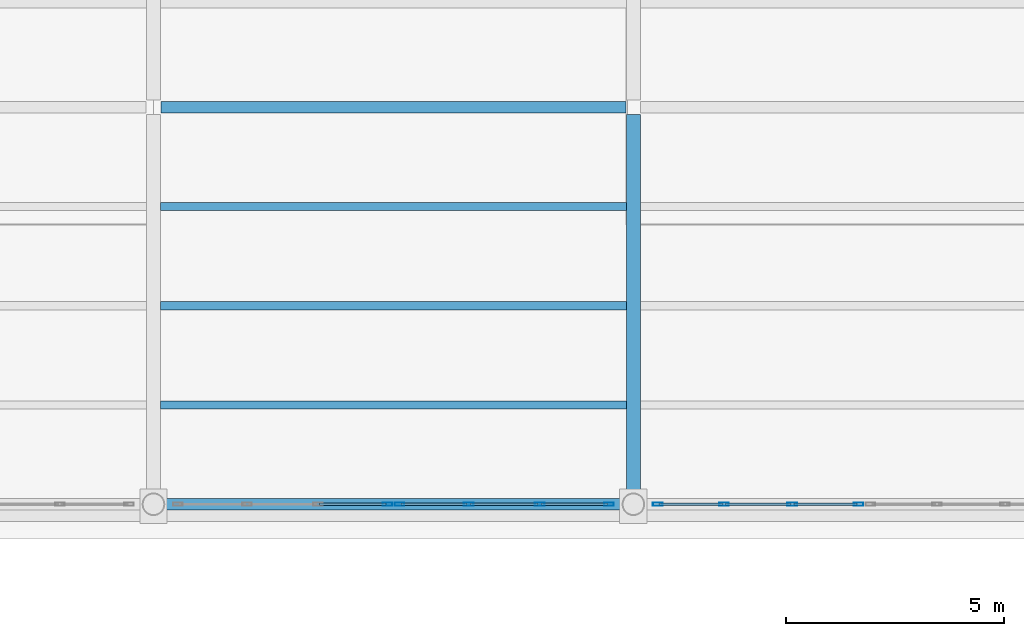
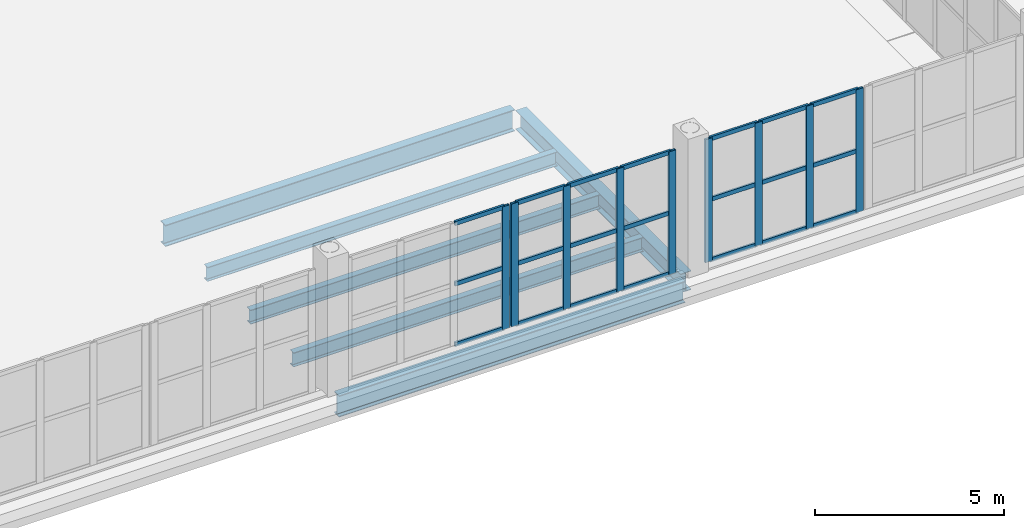
# One storey, part 41 of 156: 30 members, 6 beams, 3 elements without a shape of their own.
"""IFC4 building model written with IfcOpenShell, lengths in metres."""

from ifc_helpers import new_model, si_unit, direction, frame, origin, origin_2d, place, context, subcontext, project, spatial, hollow_rectangle, i_section, extrude, material, material_profile, profile_set, type_object, element, aggregate, save


model = new_model("IFC4")

# Units and contexts
model_context = context("Model", 3, precision=1e-05, world=origin(), true_north=direction((0.0, 1.0)))
body_context = subcontext(model_context, "Body", "Model", "MODEL_VIEW")
ifc_project = project(units=[si_unit("LENGTHUNIT", "METRE"), si_unit("AREAUNIT", "SQUARE_METRE"), si_unit("VOLUMEUNIT", "CUBIC_METRE"), si_unit("PLANEANGLEUNIT", "RADIAN"), si_unit("MASSUNIT", "GRAM", prefix="KILO")], contexts=[model_context])

# Site, building, storey
site_placement = place(None, origin())
site = spatial("IfcSite", under=ifc_project, at=site_placement, CompositionType="ELEMENT")
building_placement = place(site_placement, origin())
building = spatial("IfcBuilding", under=site, at=building_placement, Name="Caurita Quay Ferry Terminal", CompositionType="ELEMENT")
storey_placement = place(building_placement, frame((0.0, 0.0, 5.39990234375)))
storey = spatial("IfcBuildingStorey", under=building, at=storey_placement, Name="L01", CompositionType="ELEMENT", Elevation=5.39990234375)

# Beams
ifc_material_1 = material(Name="Structural steel ASTM A992 Gr. 50", Category="steel")
ifc_material_profile_1 = material_profile(ifc_material_1, i_section(OverallWidth=0.3251953125, OverallDepth=0.612060546875, WebThickness=0.0126953125, FlangeThickness=0.01904296875, FilletRadius=0.01513671875, at=origin_2d()), Name="W24X104")
ifc_profile_set_1 = profile_set([ifc_material_profile_1], Name="Structural steel ASTM A992 Gr. 50")
beam_type_1 = type_object("IfcBeamType", Name="BM-GR-W24A", PredefinedType="BEAM", material=ifc_profile_set_1)
beam_1_placement = place(storey_placement, frame((121.199951171875, 34.81591796875, -0.60595703125), z_axis=(0.0, 1.0, 0.0), x_axis=(-1.0, 0.0, 0.0)))
element("IfcBeam", 1, at=beam_1_placement, inside=storey, type_object=beam_type_1, Name="L01 Beam BM-V2-L01-Y-1212-348", PredefinedType="BEAM", context=body_context, shape_type="SweptSolid", body=[
    extrude(i_section(OverallWidth=0.3251953125, OverallDepth=0.612060546875, WebThickness=0.0126953125, FlangeThickness=0.01904296875, FilletRadius=0.01513671875, at=origin_2d()), origin(), (0.0, 0.0, 1.0), 8.72216796875),
])
ifc_material_profile_2 = material_profile(ifc_material_1, i_section(OverallWidth=0.256591796875, OverallDepth=0.693359375, WebThickness=0.014404296875, FlangeThickness=0.023681640625, FilletRadius=0.017822265625, at=origin_2d()), Name="W27X114")
ifc_profile_set_2 = profile_set([ifc_material_profile_2], Name="Structural steel ASTM A992 Gr. 50")
beam_type_2 = type_object("IfcBeamType", Name="BM-GR-W27A", PredefinedType="BEAM", material=ifc_profile_set_2)
beam_2_placement = place(storey_placement, frame((110.416015625, 34.60009765625, -0.646484375), z_axis=(1.0, 0.0, 0.0), x_axis=(0.0, 1.0, 0.0)))
element("IfcBeam", 2, at=beam_2_placement, inside=storey, type_object=beam_type_2, Name="L01 Beam BM-V2-L01-X-1104-346", PredefinedType="BEAM", context=body_context, shape_type="SweptSolid", body=[
    extrude(i_section(OverallWidth=0.256591796875, OverallDepth=0.693359375, WebThickness=0.014404296875, FlangeThickness=0.023681640625, FilletRadius=0.017822265625, at=origin_2d()), origin(), (0.0, 0.0, 1.0), 10.568115234375),
])
beam_3_placement = place(storey_placement, frame((110.368408203125, 43.699951171875, -0.646484375), z_axis=(1.0, 0.0, 0.0), x_axis=(0.0, 1.0, 0.0)))
element("IfcBeam", 3, at=beam_3_placement, inside=storey, type_object=beam_type_2, Name="L01 Beam BM-V2-L01-X-1104-437", PredefinedType="BEAM", context=body_context, shape_type="SweptSolid", body=[
    extrude(i_section(OverallWidth=0.256591796875, OverallDepth=0.693359375, WebThickness=0.014404296875, FlangeThickness=0.023681640625, FilletRadius=0.017822265625, at=origin_2d()), origin(), (0.0, 0.0, 1.0), 10.663330078125),
])
ifc_material_profile_3 = material_profile(ifc_material_1, i_section(OverallWidth=0.1904296875, OverallDepth=0.457275390625, WebThickness=0.009033203125, FlangeThickness=0.014404296875, FilletRadius=0.0126953125, at=origin_2d()), Name="W18X50")
ifc_profile_set_3 = profile_set([ifc_material_profile_3], Name="Structural steel ASTM A992 Gr. 50")
beam_type_3 = type_object("IfcBeamType", Name="BM-JS-W18B", PredefinedType="JOIST", material=ifc_profile_set_3)
for number, where, z_axis, x_axis, name in (
    (4, (110.362548828125, 36.875, -0.528564453125), (1.0, 0.0, 0.0), (0.0, 1.0, 0.0), "L01 Beam JS-V2-L01-020"),
    (5, (110.362548828125, 39.14990234375, -0.528564453125), (1.0, 0.0, 0.0), (0.0, 1.0, 0.0), "L01 Beam JS-V2-L01-021"),
    (6, (110.362548828125, 41.425048828125, -0.528564453125), (1.0, 0.0, 0.0), (0.0, 1.0, 0.0), "L01 Beam JS-V2-L01-022"),
):
    element("IfcBeam", number, at=place(storey_placement, frame(where, z_axis=z_axis, x_axis=x_axis)), inside=storey, type_object=beam_type_3, Name=name, PredefinedType="JOIST", context=body_context, shape_type="SweptSolid", body=[
        extrude(i_section(OverallWidth=0.1904296875, OverallDepth=0.457275390625, WebThickness=0.009033203125, FlangeThickness=0.014404296875, FilletRadius=0.0126953125, at=origin_2d()), origin(), (0.0, 0.0, 1.0), 10.675048828125),
    ])

# Curtain wall, member
ifc_material_2 = material(Name="Laminated solar-control insulated glass", Category="glass")
curtain_wall_type_1 = type_object("IfcCurtainWallType", Name="CW-SYS-08", PredefinedType="NOTDEFINED", material=ifc_material_2)
curtain_wall_1_placement = place(storey_placement, origin())
curtain_wall_1 = element("IfcCurtainWall", 7, at=curtain_wall_1_placement, inside=storey, type_object=curtain_wall_type_1, Name="V2 Waterside Concourse Curtain Wall 069", PredefinedType="NOTDEFINED")
ifc_material_3 = material(Name="Anodized aluminium 6063-T6", Category="aluminium")
ifc_material_profile_4 = material_profile(ifc_material_3, hollow_rectangle(XDim=0.074951171875, YDim=0.219970703125, WallThickness=0.00390625, at=origin_2d()), Name="ALU-MUL-75X220")
ifc_profile_set_4 = profile_set([ifc_material_profile_4], Name="Anodized aluminium 6063-T6")
member_type_1 = type_object("IfcMemberType", Name="CW-MUL-220", PredefinedType="MULLION", material=ifc_profile_set_4)
member_1_placement = place(storey_placement, frame((115.5625, 34.60009765625, 0.0), z_axis=(0.0, 0.0, 1.0), x_axis=(0.0, 1.0, 0.0)))
member_1 = element("IfcMember", 8, at=member_1_placement, type_object=member_type_1, Name="CW-SEA-069 Mullion 4", PredefinedType="MULLION", context=body_context, shape_type="SweptSolid", body=[
    extrude(hollow_rectangle(XDim=0.074951171875, YDim=0.219970703125, WallThickness=0.00390625, at=origin_2d()), origin(), (0.0, 0.0, 1.0), 3.97021484375),
])

# Curtain wall, members
curtain_wall_2_placement = place(storey_placement, origin())
curtain_wall_2 = element("IfcCurtainWall", 9, at=curtain_wall_2_placement, inside=storey, type_object=curtain_wall_type_1, Name="V2 Waterside Concourse Curtain Wall 070", PredefinedType="NOTDEFINED")
member_2_placement = place(storey_placement, frame((115.83740234375, 34.60009765625, 0.0), z_axis=(0.0, 0.0, 1.0), x_axis=(0.0, 1.0, 0.0)))
member_2 = element("IfcMember", 10, at=member_2_placement, type_object=member_type_1, Name="CW-SEA-070 Mullion 1", PredefinedType="MULLION", context=body_context, shape_type="SweptSolid", body=[
    extrude(hollow_rectangle(XDim=0.074951171875, YDim=0.219970703125, WallThickness=0.00390625, at=origin_2d()), origin(), (0.0, 0.0, 1.0), 3.97021484375),
])
member_3_placement = place(storey_placement, frame((117.4267578125, 34.60009765625, 0.0), z_axis=(0.0, 0.0, 1.0), x_axis=(0.0, 1.0, 0.0)))
member_3 = element("IfcMember", 11, at=member_3_placement, type_object=member_type_1, Name="CW-SEA-070 Mullion 2", PredefinedType="MULLION", context=body_context, shape_type="SweptSolid", body=[
    extrude(hollow_rectangle(XDim=0.074951171875, YDim=0.219970703125, WallThickness=0.00390625, at=origin_2d()), origin(), (0.0, 0.0, 1.0), 3.97021484375),
])
member_4_placement = place(storey_placement, frame((119.05322265625, 34.60009765625, 0.0), z_axis=(0.0, 0.0, 1.0), x_axis=(0.0, 1.0, 0.0)))
member_4 = element("IfcMember", 12, at=member_4_placement, type_object=member_type_1, Name="CW-SEA-070 Mullion 3", PredefinedType="MULLION", context=body_context, shape_type="SweptSolid", body=[
    extrude(hollow_rectangle(XDim=0.074951171875, YDim=0.219970703125, WallThickness=0.00390625, at=origin_2d()), origin(), (0.0, 0.0, 1.0), 3.97021484375),
])
member_5_placement = place(storey_placement, frame((120.642578125, 34.60009765625, 0.0), z_axis=(0.0, 0.0, 1.0), x_axis=(0.0, 1.0, 0.0)))
member_5 = element("IfcMember", 13, at=member_5_placement, type_object=member_type_1, Name="CW-SEA-070 Mullion 4", PredefinedType="MULLION", context=body_context, shape_type="SweptSolid", body=[
    extrude(hollow_rectangle(XDim=0.074951171875, YDim=0.219970703125, WallThickness=0.00390625, at=origin_2d()), origin(), (0.0, 0.0, 1.0), 3.97021484375),
])

curtain_wall_type_2 = type_object("IfcCurtainWallType", Name="CW-SYS-09", PredefinedType="NOTDEFINED", material=ifc_material_2)
curtain_wall_3_placement = place(storey_placement, origin())
curtain_wall_3 = element("IfcCurtainWall", 14, at=curtain_wall_3_placement, inside=storey, type_object=curtain_wall_type_2, Name="V2 Waterside Concourse Curtain Wall 071", PredefinedType="NOTDEFINED")
member_6_placement = place(storey_placement, frame((121.757568359375, 34.60009765625, 0.0), z_axis=(0.0, 0.0, 1.0), x_axis=(0.0, 1.0, 0.0)))
member_6 = element("IfcMember", 15, at=member_6_placement, type_object=member_type_1, Name="CW-SEA-071 Mullion 1", PredefinedType="MULLION", context=body_context, shape_type="SweptSolid", body=[
    extrude(hollow_rectangle(XDim=0.074951171875, YDim=0.219970703125, WallThickness=0.00390625, at=origin_2d()), origin(), (0.0, 0.0, 1.0), 3.97021484375),
])
member_7_placement = place(storey_placement, frame((123.280029296875, 34.60009765625, 0.0), z_axis=(0.0, 0.0, 1.0), x_axis=(0.0, 1.0, 0.0)))
member_7 = element("IfcMember", 16, at=member_7_placement, type_object=member_type_1, Name="CW-SEA-071 Mullion 2", PredefinedType="MULLION", context=body_context, shape_type="SweptSolid", body=[
    extrude(hollow_rectangle(XDim=0.074951171875, YDim=0.219970703125, WallThickness=0.00390625, at=origin_2d()), origin(), (0.0, 0.0, 1.0), 3.97021484375),
])
member_8_placement = place(storey_placement, frame((124.840087890625, 34.60009765625, 0.0), z_axis=(0.0, 0.0, 1.0), x_axis=(0.0, 1.0, 0.0)))
member_8 = element("IfcMember", 17, at=member_8_placement, type_object=member_type_1, Name="CW-SEA-071 Mullion 3", PredefinedType="MULLION", context=body_context, shape_type="SweptSolid", body=[
    extrude(hollow_rectangle(XDim=0.074951171875, YDim=0.219970703125, WallThickness=0.00390625, at=origin_2d()), origin(), (0.0, 0.0, 1.0), 3.97021484375),
])
member_9_placement = place(storey_placement, frame((126.362548828125, 34.60009765625, 0.0), z_axis=(0.0, 0.0, 1.0), x_axis=(0.0, 1.0, 0.0)))
member_9 = element("IfcMember", 18, at=member_9_placement, type_object=member_type_1, Name="CW-SEA-071 Mullion 4", PredefinedType="MULLION", context=body_context, shape_type="SweptSolid", body=[
    extrude(hollow_rectangle(XDim=0.074951171875, YDim=0.219970703125, WallThickness=0.00390625, at=origin_2d()), origin(), (0.0, 0.0, 1.0), 3.97021484375),
])

# Member
ifc_material_profile_5 = material_profile(ifc_material_3, hollow_rectangle(XDim=0.06494140625, YDim=0.135009765625, WallThickness=0.00341796875, at=origin_2d()), Name="ALU-TRN-65X135")
ifc_profile_set_5 = profile_set([ifc_material_profile_5], Name="Anodized aluminium 6063-T6")
member_type_2 = type_object("IfcMemberType", Name="CW-TRN-135", PredefinedType="USERDEFINED", material=ifc_profile_set_5)
member_10_placement = place(storey_placement, frame((114.0087890625, 34.60009765625, 0.03271484375), z_axis=(1.0, 0.0, 0.0), x_axis=(0.0, 1.0, 0.0)))
member_10 = element("IfcMember", 19, at=member_10_placement, type_object=member_type_2, Name="CW-SEA-069 Transom 7", ObjectType="TRANSOM", PredefinedType="USERDEFINED", context=body_context, shape_type="SweptSolid", body=[
    extrude(hollow_rectangle(XDim=0.06494140625, YDim=0.135009765625, WallThickness=0.00341796875, at=origin_2d()), origin(), (0.0, 0.0, 1.0), 1.518310546875),
])

member_11_placement = place(storey_placement, frame((114.0087890625, 34.60009765625, 1.985107421875), z_axis=(1.0, 0.0, 0.0), x_axis=(0.0, 1.0, 0.0)))
member_11 = element("IfcMember", 20, at=member_11_placement, type_object=member_type_2, Name="CW-SEA-069 Transom 8", ObjectType="TRANSOM", PredefinedType="USERDEFINED", context=body_context, shape_type="SweptSolid", body=[
    extrude(hollow_rectangle(XDim=0.06494140625, YDim=0.135009765625, WallThickness=0.00341796875, at=origin_2d()), origin(), (0.0, 0.0, 1.0), 1.518310546875),
])

member_12_placement = place(storey_placement, frame((114.0087890625, 34.60009765625, 3.9375), z_axis=(1.0, 0.0, 0.0), x_axis=(0.0, 1.0, 0.0)))
member_12 = element("IfcMember", 21, at=member_12_placement, type_object=member_type_2, Name="CW-SEA-069 Transom 9", ObjectType="TRANSOM", PredefinedType="USERDEFINED", context=body_context, shape_type="SweptSolid", body=[
    extrude(hollow_rectangle(XDim=0.06494140625, YDim=0.135009765625, WallThickness=0.00341796875, at=origin_2d()), origin(), (0.0, 0.0, 1.0), 1.518310546875),
])

aggregate(curtain_wall_1, [member_1, member_10, member_11, member_12])

member_13_placement = place(storey_placement, frame((115.873046875, 34.60009765625, 0.03271484375), z_axis=(1.0, 0.0, 0.0), x_axis=(0.0, 1.0, 0.0)))
member_13 = element("IfcMember", 22, at=member_13_placement, type_object=member_type_2, Name="CW-SEA-070 Transom 1", ObjectType="TRANSOM", PredefinedType="USERDEFINED", context=body_context, shape_type="SweptSolid", body=[
    extrude(hollow_rectangle(XDim=0.06494140625, YDim=0.135009765625, WallThickness=0.00341796875, at=origin_2d()), origin(), (0.0, 0.0, 1.0), 1.51806640625),
])

member_14_placement = place(storey_placement, frame((115.873046875, 34.60009765625, 1.985107421875), z_axis=(1.0, 0.0, 0.0), x_axis=(0.0, 1.0, 0.0)))
member_14 = element("IfcMember", 23, at=member_14_placement, type_object=member_type_2, Name="CW-SEA-070 Transom 2", ObjectType="TRANSOM", PredefinedType="USERDEFINED", context=body_context, shape_type="SweptSolid", body=[
    extrude(hollow_rectangle(XDim=0.06494140625, YDim=0.135009765625, WallThickness=0.00341796875, at=origin_2d()), origin(), (0.0, 0.0, 1.0), 1.51806640625),
])

member_15_placement = place(storey_placement, frame((115.873046875, 34.60009765625, 3.9375), z_axis=(1.0, 0.0, 0.0), x_axis=(0.0, 1.0, 0.0)))
member_15 = element("IfcMember", 24, at=member_15_placement, type_object=member_type_2, Name="CW-SEA-070 Transom 3", ObjectType="TRANSOM", PredefinedType="USERDEFINED", context=body_context, shape_type="SweptSolid", body=[
    extrude(hollow_rectangle(XDim=0.06494140625, YDim=0.135009765625, WallThickness=0.00341796875, at=origin_2d()), origin(), (0.0, 0.0, 1.0), 1.51806640625),
])

member_16_placement = place(storey_placement, frame((117.462158203125, 34.60009765625, 0.03271484375), z_axis=(1.0, 0.0, 0.0), x_axis=(0.0, 1.0, 0.0)))
member_16 = element("IfcMember", 25, at=member_16_placement, type_object=member_type_2, Name="CW-SEA-070 Transom 4", ObjectType="TRANSOM", PredefinedType="USERDEFINED", context=body_context, shape_type="SweptSolid", body=[
    extrude(hollow_rectangle(XDim=0.06494140625, YDim=0.135009765625, WallThickness=0.00341796875, at=origin_2d()), origin(), (0.0, 0.0, 1.0), 1.5556640625),
])

member_17_placement = place(storey_placement, frame((117.462158203125, 34.60009765625, 1.985107421875), z_axis=(1.0, 0.0, 0.0), x_axis=(0.0, 1.0, 0.0)))
member_17 = element("IfcMember", 26, at=member_17_placement, type_object=member_type_2, Name="CW-SEA-070 Transom 5", ObjectType="TRANSOM", PredefinedType="USERDEFINED", context=body_context, shape_type="SweptSolid", body=[
    extrude(hollow_rectangle(XDim=0.06494140625, YDim=0.135009765625, WallThickness=0.00341796875, at=origin_2d()), origin(), (0.0, 0.0, 1.0), 1.5556640625),
])

member_18_placement = place(storey_placement, frame((117.462158203125, 34.60009765625, 3.9375), z_axis=(1.0, 0.0, 0.0), x_axis=(0.0, 1.0, 0.0)))
member_18 = element("IfcMember", 27, at=member_18_placement, type_object=member_type_2, Name="CW-SEA-070 Transom 6", ObjectType="TRANSOM", PredefinedType="USERDEFINED", context=body_context, shape_type="SweptSolid", body=[
    extrude(hollow_rectangle(XDim=0.06494140625, YDim=0.135009765625, WallThickness=0.00341796875, at=origin_2d()), origin(), (0.0, 0.0, 1.0), 1.5556640625),
])

member_19_placement = place(storey_placement, frame((119.0888671875, 34.60009765625, 0.03271484375), z_axis=(1.0, 0.0, 0.0), x_axis=(0.0, 1.0, 0.0)))
member_19 = element("IfcMember", 28, at=member_19_placement, type_object=member_type_2, Name="CW-SEA-070 Transom 7", ObjectType="TRANSOM", PredefinedType="USERDEFINED", context=body_context, shape_type="SweptSolid", body=[
    extrude(hollow_rectangle(XDim=0.06494140625, YDim=0.135009765625, WallThickness=0.00341796875, at=origin_2d()), origin(), (0.0, 0.0, 1.0), 1.51806640625),
])

member_20_placement = place(storey_placement, frame((119.0888671875, 34.60009765625, 1.985107421875), z_axis=(1.0, 0.0, 0.0), x_axis=(0.0, 1.0, 0.0)))
member_20 = element("IfcMember", 29, at=member_20_placement, type_object=member_type_2, Name="CW-SEA-070 Transom 8", ObjectType="TRANSOM", PredefinedType="USERDEFINED", context=body_context, shape_type="SweptSolid", body=[
    extrude(hollow_rectangle(XDim=0.06494140625, YDim=0.135009765625, WallThickness=0.00341796875, at=origin_2d()), origin(), (0.0, 0.0, 1.0), 1.51806640625),
])

member_21_placement = place(storey_placement, frame((119.0888671875, 34.60009765625, 3.9375), z_axis=(1.0, 0.0, 0.0), x_axis=(0.0, 1.0, 0.0)))
member_21 = element("IfcMember", 30, at=member_21_placement, type_object=member_type_2, Name="CW-SEA-070 Transom 9", ObjectType="TRANSOM", PredefinedType="USERDEFINED", context=body_context, shape_type="SweptSolid", body=[
    extrude(hollow_rectangle(XDim=0.06494140625, YDim=0.135009765625, WallThickness=0.00341796875, at=origin_2d()), origin(), (0.0, 0.0, 1.0), 1.51806640625),
])

aggregate(curtain_wall_2, [member_2, member_3, member_4, member_5, member_13, member_14, member_15, member_16, member_17, member_18, member_19, member_20, member_21])

member_22_placement = place(storey_placement, frame((121.79296875, 34.60009765625, 0.03271484375), z_axis=(1.0, 0.0, 0.0), x_axis=(0.0, 1.0, 0.0)))
member_22 = element("IfcMember", 31, at=member_22_placement, type_object=member_type_2, Name="CW-SEA-071 Transom 1", ObjectType="TRANSOM", PredefinedType="USERDEFINED", context=body_context, shape_type="SweptSolid", body=[
    extrude(hollow_rectangle(XDim=0.06494140625, YDim=0.135009765625, WallThickness=0.00341796875, at=origin_2d()), origin(), (0.0, 0.0, 1.0), 1.451416015625),
])

member_23_placement = place(storey_placement, frame((121.79296875, 34.60009765625, 1.985107421875), z_axis=(1.0, 0.0, 0.0), x_axis=(0.0, 1.0, 0.0)))
member_23 = element("IfcMember", 32, at=member_23_placement, type_object=member_type_2, Name="CW-SEA-071 Transom 2", ObjectType="TRANSOM", PredefinedType="USERDEFINED", context=body_context, shape_type="SweptSolid", body=[
    extrude(hollow_rectangle(XDim=0.06494140625, YDim=0.135009765625, WallThickness=0.00341796875, at=origin_2d()), origin(), (0.0, 0.0, 1.0), 1.451416015625),
])

member_24_placement = place(storey_placement, frame((121.79296875, 34.60009765625, 3.9375), z_axis=(1.0, 0.0, 0.0), x_axis=(0.0, 1.0, 0.0)))
member_24 = element("IfcMember", 33, at=member_24_placement, type_object=member_type_2, Name="CW-SEA-071 Transom 3", ObjectType="TRANSOM", PredefinedType="USERDEFINED", context=body_context, shape_type="SweptSolid", body=[
    extrude(hollow_rectangle(XDim=0.06494140625, YDim=0.135009765625, WallThickness=0.00341796875, at=origin_2d()), origin(), (0.0, 0.0, 1.0), 1.451416015625),
])

member_25_placement = place(storey_placement, frame((123.3154296875, 34.60009765625, 0.03271484375), z_axis=(1.0, 0.0, 0.0), x_axis=(0.0, 1.0, 0.0)))
member_25 = element("IfcMember", 34, at=member_25_placement, type_object=member_type_2, Name="CW-SEA-071 Transom 4", ObjectType="TRANSOM", PredefinedType="USERDEFINED", context=body_context, shape_type="SweptSolid", body=[
    extrude(hollow_rectangle(XDim=0.06494140625, YDim=0.135009765625, WallThickness=0.00341796875, at=origin_2d()), origin(), (0.0, 0.0, 1.0), 1.489013671875),
])

member_26_placement = place(storey_placement, frame((123.3154296875, 34.60009765625, 1.985107421875), z_axis=(1.0, 0.0, 0.0), x_axis=(0.0, 1.0, 0.0)))
member_26 = element("IfcMember", 35, at=member_26_placement, type_object=member_type_2, Name="CW-SEA-071 Transom 5", ObjectType="TRANSOM", PredefinedType="USERDEFINED", context=body_context, shape_type="SweptSolid", body=[
    extrude(hollow_rectangle(XDim=0.06494140625, YDim=0.135009765625, WallThickness=0.00341796875, at=origin_2d()), origin(), (0.0, 0.0, 1.0), 1.489013671875),
])

member_27_placement = place(storey_placement, frame((123.3154296875, 34.60009765625, 3.9375), z_axis=(1.0, 0.0, 0.0), x_axis=(0.0, 1.0, 0.0)))
member_27 = element("IfcMember", 36, at=member_27_placement, type_object=member_type_2, Name="CW-SEA-071 Transom 6", ObjectType="TRANSOM", PredefinedType="USERDEFINED", context=body_context, shape_type="SweptSolid", body=[
    extrude(hollow_rectangle(XDim=0.06494140625, YDim=0.135009765625, WallThickness=0.00341796875, at=origin_2d()), origin(), (0.0, 0.0, 1.0), 1.489013671875),
])

member_28_placement = place(storey_placement, frame((124.87548828125, 34.60009765625, 0.03271484375), z_axis=(1.0, 0.0, 0.0), x_axis=(0.0, 1.0, 0.0)))
member_28 = element("IfcMember", 37, at=member_28_placement, type_object=member_type_2, Name="CW-SEA-071 Transom 7", ObjectType="TRANSOM", PredefinedType="USERDEFINED", context=body_context, shape_type="SweptSolid", body=[
    extrude(hollow_rectangle(XDim=0.06494140625, YDim=0.135009765625, WallThickness=0.00341796875, at=origin_2d()), origin(), (0.0, 0.0, 1.0), 1.451416015625),
])

member_29_placement = place(storey_placement, frame((124.87548828125, 34.60009765625, 1.985107421875), z_axis=(1.0, 0.0, 0.0), x_axis=(0.0, 1.0, 0.0)))
member_29 = element("IfcMember", 38, at=member_29_placement, type_object=member_type_2, Name="CW-SEA-071 Transom 8", ObjectType="TRANSOM", PredefinedType="USERDEFINED", context=body_context, shape_type="SweptSolid", body=[
    extrude(hollow_rectangle(XDim=0.06494140625, YDim=0.135009765625, WallThickness=0.00341796875, at=origin_2d()), origin(), (0.0, 0.0, 1.0), 1.451416015625),
])

member_30_placement = place(storey_placement, frame((124.87548828125, 34.60009765625, 3.9375), z_axis=(1.0, 0.0, 0.0), x_axis=(0.0, 1.0, 0.0)))
member_30 = element("IfcMember", 39, at=member_30_placement, type_object=member_type_2, Name="CW-SEA-071 Transom 9", ObjectType="TRANSOM", PredefinedType="USERDEFINED", context=body_context, shape_type="SweptSolid", body=[
    extrude(hollow_rectangle(XDim=0.06494140625, YDim=0.135009765625, WallThickness=0.00341796875, at=origin_2d()), origin(), (0.0, 0.0, 1.0), 1.451416015625),
])

aggregate(curtain_wall_3, [member_6, member_7, member_8, member_9, member_22, member_23, member_24, member_25, member_26, member_27, member_28, member_29, member_30])

save(model, "model.ifc")
